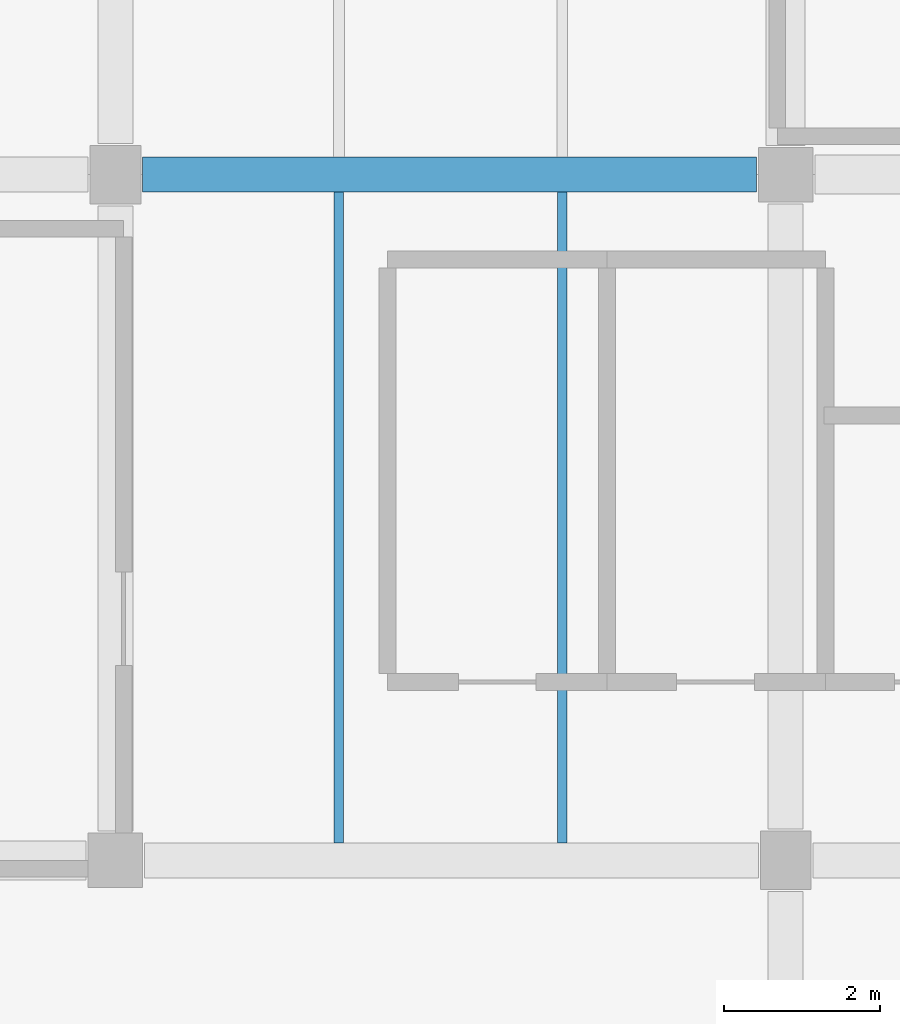
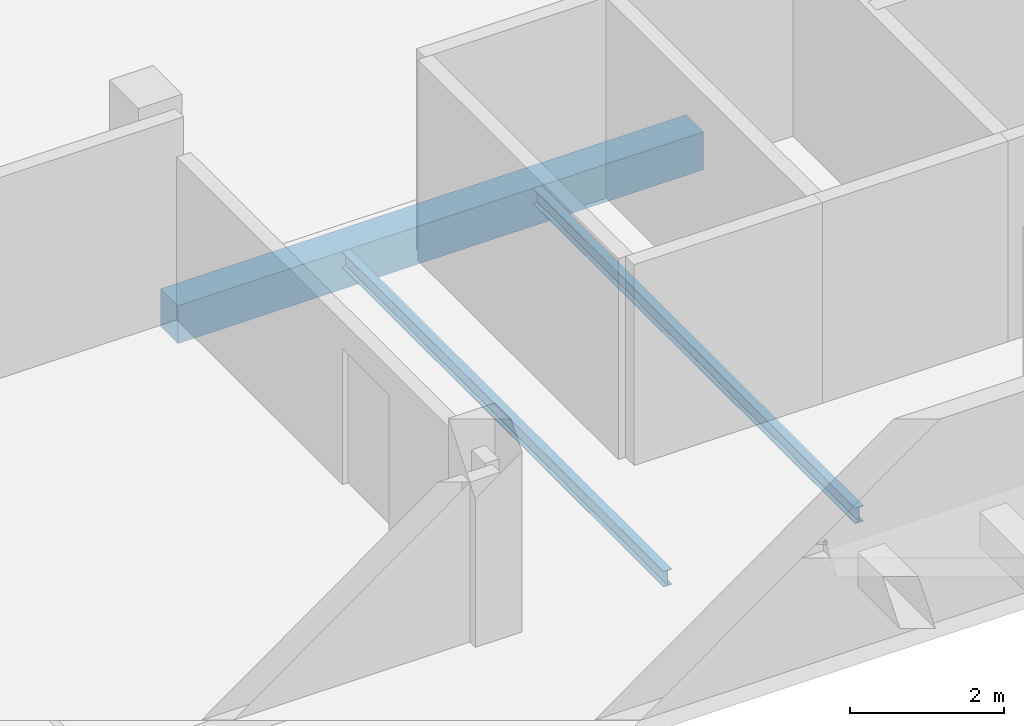
# One storey, part 8 of 55: 3 beams.
"""IFC4 building model written with IfcOpenShell, lengths in metres."""

from ifc_helpers import new_model, si_unit, direction, frame, origin, origin_2d, place, context, subcontext, project, spatial, rectangle, i_section, extrude, material, material_profile, profile_set, type_object, element, save


model = new_model("IFC4")

# Units and contexts
model_context = context("Model", 3, precision=1e-05, world=origin(), true_north=direction((0.0, 1.0)))
body_context = subcontext(model_context, "Body", "Model", "MODEL_VIEW")
ifc_project = project(units=[si_unit("LENGTHUNIT", "METRE"), si_unit("AREAUNIT", "SQUARE_METRE"), si_unit("VOLUMEUNIT", "CUBIC_METRE"), si_unit("PLANEANGLEUNIT", "RADIAN"), si_unit("MASSUNIT", "GRAM", prefix="KILO")], contexts=[model_context])

# Site, building, storey
site_placement = place(None, origin())
site = spatial("IfcSite", under=ifc_project, at=site_placement, CompositionType="ELEMENT")
building_placement = place(site_placement, origin())
building = spatial("IfcBuilding", under=site, at=building_placement, Name="Varnakota Cinema and Media Centre", CompositionType="ELEMENT")
storey_placement = place(building_placement, frame((0.0, 0.0, 15.60009765625)))
storey = spatial("IfcBuildingStorey", under=building, at=storey_placement, Name="L04", CompositionType="ELEMENT", Elevation=15.60009765625)

# Beams
ifc_material_1 = material(Name="Concrete M35", Category="concrete")
ifc_material_profile_1 = material_profile(ifc_material_1, rectangle(XDim=0.449951171875, YDim=0.60009765625, at=origin_2d()), Name="RCB 450x600")
ifc_profile_set_1 = profile_set([ifc_material_profile_1], Name="Concrete M35")
beam_type_1 = type_object("IfcBeamType", Name="BM-RC-450x600", PredefinedType="BEAM", material=ifc_profile_set_1)
beam_placement = place(storey_placement, frame((8.949951171875, 35.199951171875, -0.550048828125), z_axis=(1.0, 0.0, 0.0), x_axis=(0.0, 1.0, 0.0)))
element("IfcBeam", 1, at=beam_placement, inside=storey, type_object=beam_type_1, Name="L04 girder B-C/5", PredefinedType="BEAM", context=body_context, shape_type="SweptSolid", body=[
    extrude(rectangle(XDim=0.449951171875, YDim=0.60009765625, at=origin_2d()), origin(), (0.0, 0.0, 1.0), 7.875),
])
ifc_material_2 = material(Name="Structural steel Grade 350 (E350)", Category="steel")
ifc_material_profile_2 = material_profile(ifc_material_2, i_section(OverallWidth=0.125, OverallDepth=0.25, WebThickness=0.0068359375, FlangeThickness=0.012451171875, FilletRadius=0.012939453125, at=origin_2d()), Name="ISMB 250")
ifc_profile_set_2 = profile_set([ifc_material_profile_2], Name="Structural steel Grade 350 (E350)")
beam_type_2 = type_object("IfcBeamType", Name="BM-ST-ISMB250", PredefinedType="JOIST", material=ifc_profile_set_2)
for number, where, z_axis, x_axis, name in (
    (2, (11.466796875, 26.625, -0.375), (0.0, 1.0, 0.0), (-1.0, 0.0, 0.0), "L04 steel joist B-C/4-5 #1"),
    (3, (14.333251953125, 26.625, -0.375), (0.0, 1.0, 0.0), (-1.0, 0.0, 0.0), "L04 steel joist B-C/4-5 #2"),
):
    element("IfcBeam", number, at=place(storey_placement, frame(where, z_axis=z_axis, x_axis=x_axis)), inside=storey, type_object=beam_type_2, Name=name, PredefinedType="JOIST", context=body_context, shape_type="SweptSolid", body=[
        extrude(i_section(OverallWidth=0.125, OverallDepth=0.25, WebThickness=0.0068359375, FlangeThickness=0.012451171875, FilletRadius=0.012939453125, at=origin_2d()), origin(), (0.0, 0.0, 1.0), 8.35009765625),
    ])

save(model, "model.ifc")
